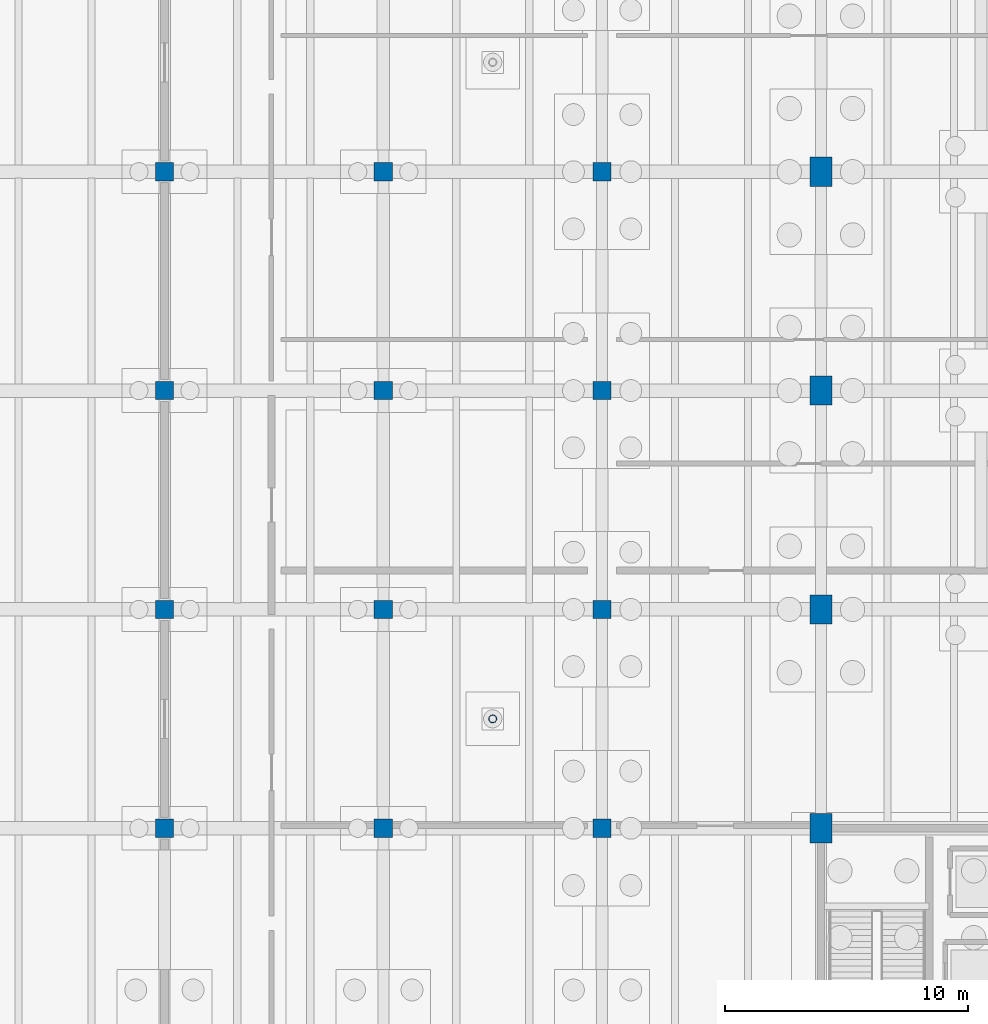
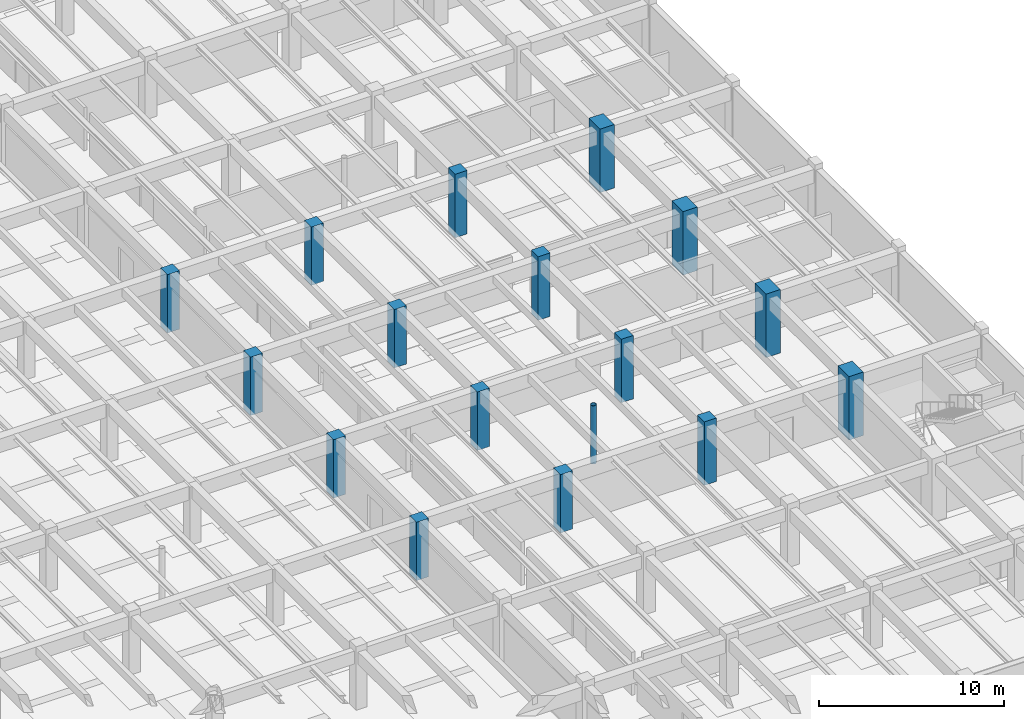
# One storey, part 7 of 23: 17 columns.
"""IFC4 building model written with IfcOpenShell, lengths in metres."""

from ifc_helpers import new_model, si_unit, direction, frame, origin, origin_2d, place, context, subcontext, project, spatial, rectangle, hollow_circle, extrude, material, material_profile, profile_set, type_object, element, save


model = new_model("IFC4")

# Units and contexts
model_context = context("Model", 3, precision=1e-05, world=origin(), true_north=direction((0.0, 1.0)))
body_context = subcontext(model_context, "Body", "Model", "MODEL_VIEW")
ifc_project = project(units=[si_unit("LENGTHUNIT", "METRE"), si_unit("AREAUNIT", "SQUARE_METRE"), si_unit("VOLUMEUNIT", "CUBIC_METRE"), si_unit("PLANEANGLEUNIT", "RADIAN"), si_unit("MASSUNIT", "GRAM", prefix="KILO")], contexts=[model_context])

# Site, building, storey
site_placement = place(None, origin())
site = spatial("IfcSite", under=ifc_project, at=site_placement, CompositionType="ELEMENT")
building_placement = place(site_placement, origin())
building = spatial("IfcBuilding", under=site, at=building_placement, Name="Ornek Quay Market", CompositionType="ELEMENT")
storey_placement = place(building_placement, frame((0.0, 0.0, -4.199951171875)))
storey = spatial("IfcBuildingStorey", under=building, at=storey_placement, Name="B1", CompositionType="ELEMENT", Elevation=-4.199951171875)

# Columns
ifc_material_1 = material(Name="Concrete C45/55", Category="concrete")
ifc_material_profile_1 = material_profile(ifc_material_1, rectangle(XDim=0.89990234375, YDim=1.199951171875, at=origin_2d()), Name="RC 900x1200", Category="concrete")
ifc_profile_set_1 = profile_set([ifc_material_profile_1], Name="Concrete C45/55")
column_type_1 = type_object("IfcColumnType", Name="COL-ARCH-900x1200", PredefinedType="COLUMN", material=ifc_profile_set_1)
for number, where, z_axis, x_axis, name in (
    (1, (117.0, 38.0, 0.0), (0.0, 0.0, 1.0), (1.0, 0.0, 0.0), "Column C-AR1-019"),
    (2, (117.0, 47.0, 0.0), (0.0, 0.0, 1.0), (1.0, 0.0, 0.0), "Column C-AR1-020"),
    (3, (117.0, 56.0, 0.0), (0.0, 0.0, 1.0), (1.0, 0.0, 0.0), "Column C-AR1-021"),
    (4, (117.0, 65.0, 0.0), (0.0, 0.0, 1.0), (1.0, 0.0, 0.0), "Column C-AR1-022"),
):
    element("IfcColumn", number, at=place(storey_placement, frame(where, z_axis=z_axis, x_axis=x_axis)), inside=storey, type_object=column_type_1, Name=name, PredefinedType="COLUMN", context=body_context, shape_type="SweptSolid", body=[
        extrude(rectangle(XDim=0.89990234375, YDim=1.199951171875, at=origin_2d()), origin(), (0.0, 0.0, 1.0), 4.199951171875),
    ])
ifc_material_2 = material(Name="Concrete C40/50", Category="concrete")
ifc_material_profile_2 = material_profile(ifc_material_2, rectangle(XDim=0.75, YDim=0.75, at=origin_2d()), Name="RC 750x750", Category="concrete")
ifc_profile_set_2 = profile_set([ifc_material_profile_2], Name="Concrete C40/50")
column_type_2 = type_object("IfcColumnType", Name="COL-B1-750x750", PredefinedType="COLUMN", material=ifc_profile_set_2)
for number, where, z_axis, x_axis, name in (
    (5, (90.0, 38.0, 0.0), (0.0, 0.0, 1.0), (1.0, 0.0, 0.0), "Column C-B1A-004"),
    (6, (90.0, 47.0, 0.0), (0.0, 0.0, 1.0), (1.0, 0.0, 0.0), "Column C-B1A-005"),
    (7, (90.0, 56.0, 0.0), (0.0, 0.0, 1.0), (1.0, 0.0, 0.0), "Column C-B1A-006"),
    (8, (90.0, 65.0, 0.0), (0.0, 0.0, 1.0), (1.0, 0.0, 0.0), "Column C-B1A-007"),
    (9, (99.0, 38.0, 0.0), (0.0, 0.0, 1.0), (1.0, 0.0, 0.0), "Column C-B1A-016"),
    (10, (99.0, 47.0, 0.0), (0.0, 0.0, 1.0), (1.0, 0.0, 0.0), "Column C-B1A-017"),
    (11, (99.0, 56.0, 0.0), (0.0, 0.0, 1.0), (1.0, 0.0, 0.0), "Column C-B1A-018"),
    (12, (99.0, 65.0, 0.0), (0.0, 0.0, 1.0), (1.0, 0.0, 0.0), "Column C-B1A-019"),
):
    element("IfcColumn", number, at=place(storey_placement, frame(where, z_axis=z_axis, x_axis=x_axis)), inside=storey, type_object=column_type_2, Name=name, PredefinedType="COLUMN", context=body_context, shape_type="SweptSolid", body=[
        extrude(rectangle(XDim=0.75, YDim=0.75, at=origin_2d()), origin(), (0.0, 0.0, 1.0), 3.85986328125),
    ])
for number, where, z_axis, x_axis, name in (
    (13, (108.0, 38.0, 0.0), (0.0, 0.0, 1.0), (1.0, 0.0, 0.0), "Column C-B1A-028"),
    (14, (108.0, 47.0, 0.0), (0.0, 0.0, 1.0), (1.0, 0.0, 0.0), "Column C-B1A-029"),
    (15, (108.0, 56.0, 0.0), (0.0, 0.0, 1.0), (1.0, 0.0, 0.0), "Column C-B1A-030"),
    (16, (108.0, 65.0, 0.0), (0.0, 0.0, 1.0), (1.0, 0.0, 0.0), "Column C-B1A-031"),
):
    element("IfcColumn", number, at=place(storey_placement, frame(where, z_axis=z_axis, x_axis=x_axis)), inside=storey, type_object=column_type_2, Name=name, PredefinedType="COLUMN", context=body_context, shape_type="SweptSolid", body=[
        extrude(rectangle(XDim=0.75, YDim=0.75, at=origin_2d()), origin(), (0.0, 0.0, 1.0), 4.199951171875),
    ])
ifc_material_3 = material(Name="Steel S355", Category="steel")
ifc_material_profile_3 = material_profile(ifc_material_3, hollow_circle(Radius=0.161865234375, WallThickness=0.012451171875, at=origin_2d()), Name="CHS 323.9x12.5", Category="steel")
ifc_profile_set_3 = profile_set([ifc_material_profile_3], Name="Steel S355")
column_type_3 = type_object("IfcColumnType", Name="COL-PORCH-CHS323", PredefinedType="PILASTER", material=ifc_profile_set_3)
column_placement = place(storey_placement, frame((103.5, 42.5, 0.0), z_axis=(0.0, 0.0, 1.0), x_axis=(1.0, 0.0, 0.0)))
element("IfcColumn", 17, at=column_placement, inside=storey, type_object=column_type_3, Name="Pavilion column CK-03", PredefinedType="PILASTER", context=body_context, shape_type="SweptSolid", body=[
    extrude(hollow_circle(Radius=0.161865234375, WallThickness=0.012451171875, at=origin_2d()), origin(), (0.0, 0.0, 1.0), 3.85986328125),
])

save(model, "model.ifc")
